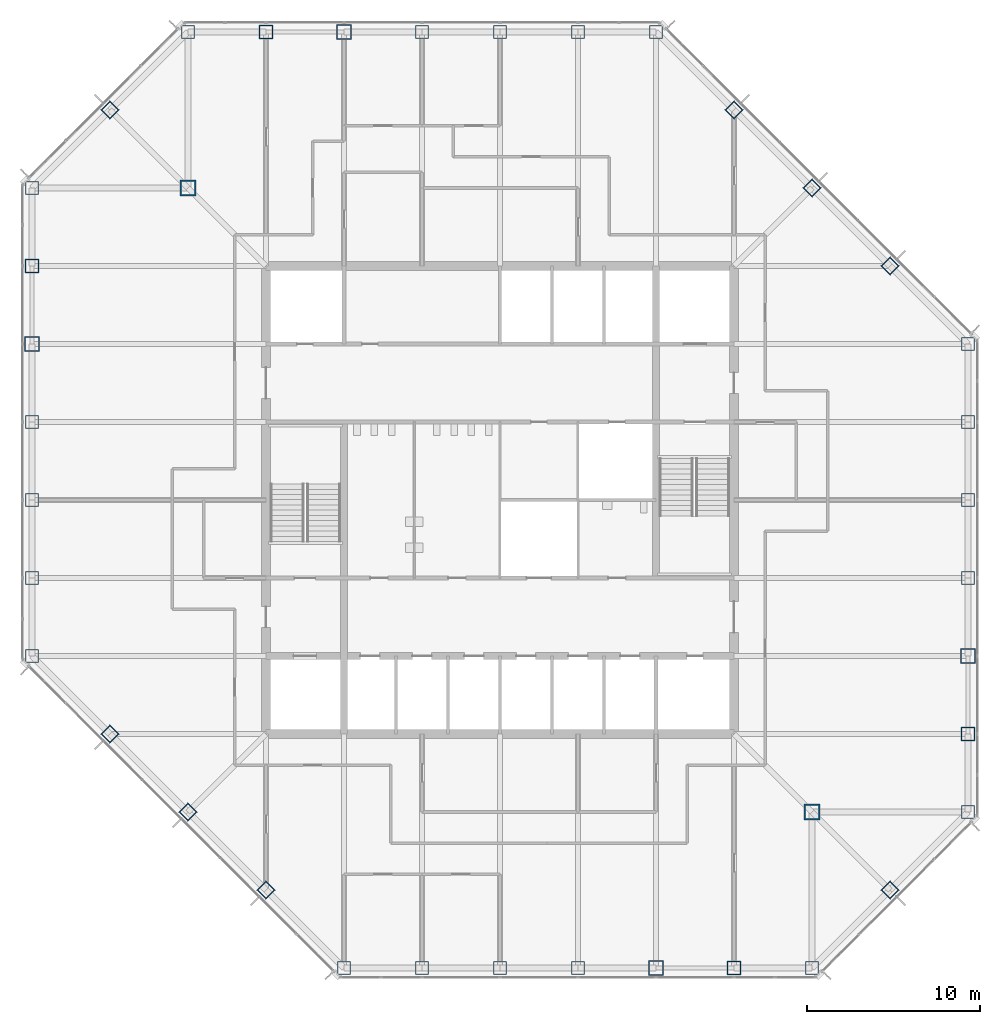
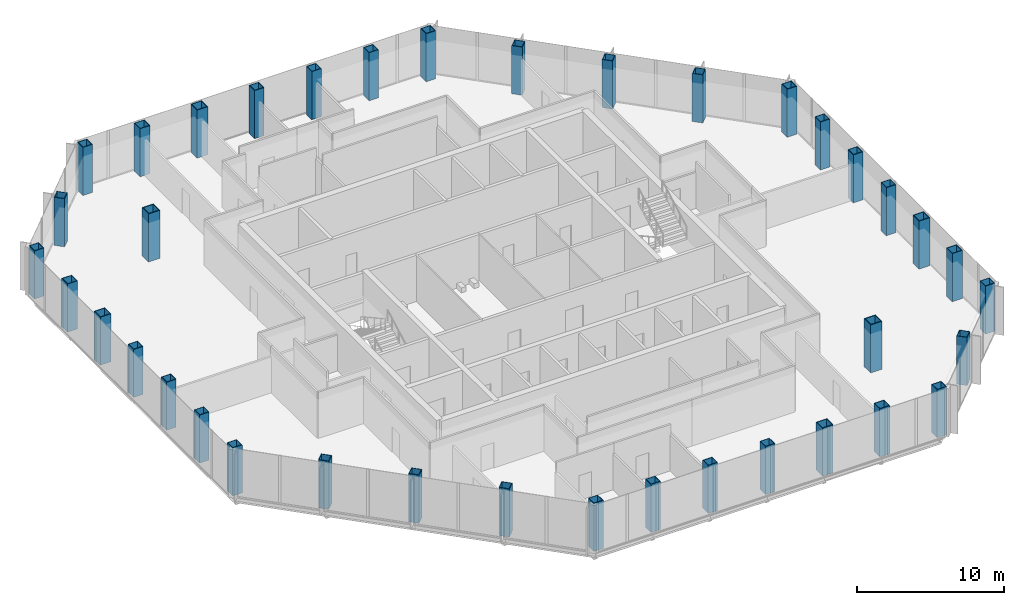
# One storey, part 1 of 13: 38 columns.
"""IFC4 building model written with IfcOpenShell, lengths in metres."""

import ifcopenshell
import ifcopenshell.guid

model = None  # the IFC model being written
_history = None  # IfcOwnerHistory: only IFC2X3 demands one
_inside = {}  # id of a spatial element -> (the spatial element, [elements in it])
_under = {}  # id of a project, library or spatial element -> (it, [spatial elements below it])
_declared = {}  # id of a project -> (the project, [libraries it declares])
_typed = {}  # id of a type object -> (the type object, [elements of that type])
_made_of = {}  # id of a material, layer set ... -> (it, [elements and type objects made of it])


def new_model(schema):
    """Start an empty IFC model of exactly this schema.

    Asked for "IFC4X3", IfcOpenShell would pick the latest addendum, in which some entities
    have other attributes; the version numbers below select the first issue.
    IFC2X3 requires an IfcOwnerHistory on every rooted entity: one is made here for all.
    """
    global model, _history
    if schema == "IFC4X3":
        model = ifcopenshell.file(schema_version=(4, 3, 0, 0))
    else:
        model = ifcopenshell.file(schema=schema)
    _inside.clear()
    _under.clear()
    _declared.clear()
    _typed.clear()
    _made_of.clear()
    _history = None
    if model.schema == "IFC2X3":
        org = make("IfcOrganization", Name="unknown")
        user = make(
            "IfcPersonAndOrganization",
            ThePerson=make("IfcPerson", FamilyName="unknown"),
            TheOrganization=org,
        )
        app = make(
            "IfcApplication",
            ApplicationDeveloper=org,
            Version="unknown",
            ApplicationFullName="unknown",
            ApplicationIdentifier="unknown",
        )
        _history = make(
            "IfcOwnerHistory",
            OwningUser=user,
            OwningApplication=app,
            ChangeAction="ADDED",
            CreationDate=0,
        )
    return model


def make(cls, **values):
    """One entity of the class cls with the attributes given. An attribute that is None is left unset."""
    return model.create_entity(
        cls, **{name: value for name, value in values.items() if value is not None}
    )


def rooted(cls, **values):
    """An entity with a GlobalId (a new one), such as an element, a storey or a relation."""
    return make(cls, GlobalId=ifcopenshell.guid.new(), OwnerHistory=_history, **values)


def si_unit(unit_type, name, prefix=None):
    """IfcSIUnit, for example si_unit("LENGTHUNIT", "METRE", prefix="MILLI")."""
    return make("IfcSIUnit", UnitType=unit_type, Prefix=prefix, Name=name)


def assignment(units):
    """IfcUnitAssignment: the units of a project."""
    return None if units is None else make("IfcUnitAssignment", Units=units)


def point(xyz):
    """IfcCartesianPoint."""
    return None if xyz is None else make("IfcCartesianPoint", Coordinates=xyz)


def direction(xyz):
    """IfcDirection."""
    return None if xyz is None else make("IfcDirection", DirectionRatios=xyz)


def frame(location, z_axis=None, x_axis=None):
    """IfcAxis2Placement3D, a coordinate frame: its origin and axes. An axis left out is left unset."""
    return make(
        "IfcAxis2Placement3D",
        Location=point(location),
        Axis=direction(z_axis),
        RefDirection=direction(x_axis),
    )


def frame_2d(location, x_axis=None):
    """IfcAxis2Placement2D, a coordinate frame in the plane: its origin and x axis."""
    return make(
        "IfcAxis2Placement2D", Location=point(location), RefDirection=direction(x_axis)
    )


def origin():
    """The frame at (0, 0, 0) with its axes left unset."""
    return frame((0.0, 0.0, 0.0))


def origin_2d():
    """The frame at (0, 0) in the plane with its x axis left unset."""
    return frame_2d((0.0, 0.0))


def place(relative_to, where):
    """IfcLocalPlacement: puts the frame where relative to a parent placement (None: the world)."""
    return make(
        "IfcLocalPlacement", PlacementRelTo=relative_to, RelativePlacement=where
    )


def context(
    kind, dimensions, precision=None, world=None, true_north=None, identifier=None
):
    """IfcGeometricRepresentationContext, for example the 3D "Model" context."""
    return make(
        "IfcGeometricRepresentationContext",
        ContextIdentifier=identifier,
        ContextType=kind,
        CoordinateSpaceDimension=dimensions,
        Precision=precision,
        WorldCoordinateSystem=world,
        TrueNorth=true_north,
    )


def subcontext(parent, identifier, kind, view, scale=None):
    """IfcGeometricRepresentationSubContext, for example "Body" below "Model"."""
    return make(
        "IfcGeometricRepresentationSubContext",
        ContextIdentifier=identifier,
        ContextType=kind,
        ParentContext=parent,
        TargetScale=scale,
        TargetView=view,
    )


def project(units=None, contexts=None):
    """IfcProject with its units and contexts."""
    return rooted(
        "IfcProject",
        Name="project",
        RepresentationContexts=contexts,
        UnitsInContext=assignment(units),
    )


def spatial(cls, under=None, at=None, **own):
    """A site, building, storey or space (cls), placed at a placement, below another one or the project."""
    s = rooted(cls, ObjectPlacement=at, **own)
    if under is not None:
        _under.setdefault(under.id(), (under, []))[1].append(s)
    return s


def profile(cls, at=None, kind="AREA", **sizes):
    """A parametric profile (cls). Its sizes go by their IFC names, for example OverallWidth=200.0."""
    return make(cls, ProfileType=kind, Position=at, **sizes)


def hollow_rectangle(**sizes):
    """IfcRectangleHollowProfileDef."""
    return profile("IfcRectangleHollowProfileDef", **sizes)


def extrude(swept, where, along, depth):
    """IfcExtrudedAreaSolid: the profile swept, set in the frame where, extruded along a direction by depth."""
    return make(
        "IfcExtrudedAreaSolid",
        SweptArea=swept,
        Position=where,
        ExtrudedDirection=direction(along),
        Depth=depth,
    )


def shape(context_of_items, identifier, shape_type, items):
    """IfcShapeRepresentation: the items that make up one representation, for example the "Body"."""
    return make(
        "IfcShapeRepresentation",
        ContextOfItems=context_of_items,
        RepresentationIdentifier=identifier,
        RepresentationType=shape_type,
        Items=items,
    )


def material(Name=None, Category=None):
    """IfcMaterial."""
    return make("IfcMaterial", Name=Name, Category=Category)


def material_profile(
    of_material, cross_section, Name=None, Category=None, Priority=None
):
    """IfcMaterialProfile: a cross section and its material."""
    return make(
        "IfcMaterialProfile",
        Name=Name,
        Material=of_material,
        Profile=cross_section,
        Priority=Priority,
        Category=Category,
    )


def profile_set(profiles, Name=None, composite=None):
    """IfcMaterialProfileSet."""
    return make(
        "IfcMaterialProfileSet",
        Name=Name,
        MaterialProfiles=profiles,
        CompositeProfile=composite,
    )


def made_of(thing, what):
    """Note that an element or type object is made of a material, layer set ...; save() writes the relation."""
    if what is not None:
        _made_of.setdefault(what.id(), (what, []))[1].append(thing)
    return thing


def type_object(cls, material=None, **own):
    """A type object (cls), such as IfcWallType, which elements share."""
    return made_of(rooted(cls, **own), material)


def element(
    cls,
    number,
    at=None,
    inside=None,
    cuts=None,
    type_object=None,
    material=None,
    context=None,
    identifier="Body",
    shape_type=None,
    held_by="IfcProductDefinitionShape",
    body=None,
    shapes=None,
    **own,
):
    """One element of the class cls, such as IfcWall. Its Tag is "e" and its number.

    at: its placement. inside: the storey or other place that contains it. cuts: it is an
    opening in that element (IfcRelVoidsElement). A single representation is given by context,
    identifier, shape_type and body (its items); several are given by shapes. held_by: the class
    of the entity that holds the representations. save() writes the other relations.
    """
    e = rooted(cls, Tag="e%d" % number, ObjectPlacement=at, **own)
    if body is not None:
        shapes = [shape(context, identifier, shape_type, body)]
    if shapes is not None:
        e.Representation = make(held_by, Representations=shapes)
    if inside is not None:
        _inside.setdefault(inside.id(), (inside, []))[1].append(e)
    if cuts is not None:
        rooted(
            "IfcRelVoidsElement", RelatingBuildingElement=cuts, RelatedOpeningElement=e
        )
    if type_object is not None:
        _typed.setdefault(type_object.id(), (type_object, []))[1].append(e)
    return made_of(e, material)


def aggregate(whole, parts):
    """IfcRelAggregates: a whole, such as a stair, and the parts it consists of."""
    return rooted("IfcRelAggregates", RelatingObject=whole, RelatedObjects=parts)


def save(model, path):
    """Write the relations noted so far, then the file.

    IfcRelAggregates (storeys below a building ...), IfcRelContainedInSpatialStructure (elements
    in a storey), IfcRelDefinesByType, IfcRelAssociatesMaterial and IfcRelDeclares: one each for
    every whole, place, type object, material and project.
    """
    for whole, parts in _under.values():
        aggregate(whole, parts)
    for where, things in _inside.values():
        rooted(
            "IfcRelContainedInSpatialStructure",
            RelatedElements=things,
            RelatingStructure=where,
        )
    for kind, things in _typed.values():
        rooted("IfcRelDefinesByType", RelatedObjects=things, RelatingType=kind)
    for what, things in _made_of.values():
        rooted("IfcRelAssociatesMaterial", RelatedObjects=things, RelatingMaterial=what)
    for by, libraries in _declared.values():
        rooted("IfcRelDeclares", RelatingContext=by, RelatedDefinitions=libraries)
    model.write(path)


model = new_model("IFC4")

# Units and contexts
model_context = context("Model", 3, precision=1e-05, world=origin(), true_north=direction((0.0, 1.0)))
body_context = subcontext(model_context, "Body", "Model", "MODEL_VIEW")
ifc_project = project(units=[si_unit("LENGTHUNIT", "METRE"), si_unit("AREAUNIT", "SQUARE_METRE"), si_unit("VOLUMEUNIT", "CUBIC_METRE"), si_unit("PLANEANGLEUNIT", "RADIAN"), si_unit("MASSUNIT", "GRAM", prefix="KILO")], contexts=[model_context])

# Site, building, storey
site_placement = place(None, origin())
site = spatial("IfcSite", under=ifc_project, at=site_placement, CompositionType="ELEMENT")
building_placement = place(site_placement, origin())
building = spatial("IfcBuilding", under=site, at=building_placement, Name="Corais Broadcast Tower", CompositionType="ELEMENT")
storey_placement = place(building_placement, frame((0.0, 0.0, 123.60009765625)))
storey = spatial("IfcBuildingStorey", under=building, at=storey_placement, Name="L27", CompositionType="ELEMENT", Elevation=123.60009765625)

# Columns
ifc_material_1 = material(Name="Steel ASTM A572 Grade 50", Category="steel")
ifc_material_profile_1 = material_profile(ifc_material_1, hollow_rectangle(XDim=0.75, YDim=0.75, WallThickness=0.0400390625, at=origin_2d()), Name="BOX 750x750x40")
ifc_profile_set_1 = profile_set([ifc_material_profile_1], Name="Steel ASTM A572 Grade 50")
column_type_1 = type_object("IfcColumnType", Name="Column BOX 750x750x40", PredefinedType="COLUMN", material=ifc_profile_set_1)
for number, where, z_axis, x_axis, name in (
    (1, (18.0, 0.0, 0.0), (0.0, 0.0, 1.0), (1.0, 0.0, 0.0), "C4 A/7"),
    (2, (22.5, 0.0, 0.0), (0.0, 0.0, 1.0), (1.0, 0.0, 0.0), "C4 A/8"),
    (3, (27.0, 0.0, 0.0), (0.0, 0.0, 1.0), (1.0, 0.0, 0.0), "C4 A/9"),
    (4, (31.5, 0.0, 0.0), (0.0, 0.0, 1.0), (1.0, 0.0, 0.0), "C4 A/10"),
    (5, (45.0, 0.0, 0.0), (0.0, 0.0, 1.0), (1.0, 0.0, 0.0), "C4 A/13"),
    (6, (54.0, 9.0, 0.0), (0.0, 0.0, 1.0), (1.0, 0.0, 0.0), "C4 C/15"),
    (7, (54.0, 22.5, 0.0), (0.0, 0.0, 1.0), (1.0, 0.0, 0.0), "C4 F/15"),
    (8, (54.0, 27.0, 0.0), (0.0, 0.0, 1.0), (1.0, 0.0, 0.0), "C4 G/15"),
    (9, (54.0, 31.5, 0.0), (0.0, 0.0, 1.0), (1.0, 0.0, 0.0), "C4 H/15"),
    (10, (54.0, 36.0, 0.0), (0.0, 0.0, 1.0), (1.0, 0.0, 0.0), "C4 J/15"),
    (11, (36.0, 54.0, 0.0), (0.0, 0.0, 1.0), (1.0, 0.0, 0.0), "C4 N/11"),
    (12, (31.5, 54.0, 0.0), (0.0, 0.0, 1.0), (1.0, 0.0, 0.0), "C4 N/10"),
    (13, (27.0, 54.0, 0.0), (0.0, 0.0, 1.0), (1.0, 0.0, 0.0), "C4 N/9"),
    (14, (22.5, 54.0, 0.0), (0.0, 0.0, 1.0), (1.0, 0.0, 0.0), "C4 N/8"),
    (15, (9.0, 54.0, 0.0), (0.0, 0.0, 1.0), (1.0, 0.0, 0.0), "C4 N/5"),
    (16, (0.0, 45.0, 0.0), (0.0, 0.0, 1.0), (1.0, 0.0, 0.0), "C4 L/3"),
    (17, (0.0, 31.5, 0.0), (0.0, 0.0, 1.0), (1.0, 0.0, 0.0), "C4 H/3"),
    (18, (0.0, 27.0, 0.0), (0.0, 0.0, 1.0), (1.0, 0.0, 0.0), "C4 G/3"),
    (19, (0.0, 22.5, 0.0), (0.0, 0.0, 1.0), (1.0, 0.0, 0.0), "C4 F/3"),
    (20, (0.0, 18.0, 0.0), (0.0, 0.0, 1.0), (1.0, 0.0, 0.0), "C4 E/3"),
    (21, (13.5, 4.5, 0.0), (0.0, 0.0, 1.0), (0.707106781187, 0.707106781187, 0.0), "C4 B/6"),
    (22, (9.0, 9.0, 0.0), (0.0, 0.0, 1.0), (0.707106781187, 0.707106781187, 0.0), "C4 C/5"),
    (23, (4.5, 13.5, 0.0), (0.0, 0.0, 1.0), (0.707106781187, 0.707106781187, 0.0), "C4 D/4"),
    (24, (49.5, 4.5, 0.0), (0.0, 0.0, 1.0), (0.707106781187, 0.707106781187, 0.0), "C4 B/14"),
    (25, (49.5, 40.5, 0.0), (0.0, 0.0, 1.0), (0.707106781187, 0.707106781187, 0.0), "C4 K/14"),
    (26, (45.0, 45.0, 0.0), (0.0, 0.0, 1.0), (0.707106781187, 0.707106781187, 0.0), "C4 L/13"),
    (27, (40.5, 49.5, 0.0), (0.0, 0.0, 1.0), (0.707106781187, 0.707106781187, 0.0), "C4 M/12"),
    (28, (4.5, 49.5, 0.0), (0.0, 0.0, 1.0), (0.707106781187, 0.707106781187, 0.0), "C4 M/4"),
):
    element("IfcColumn", number, at=place(storey_placement, frame(where, z_axis=z_axis, x_axis=x_axis)), inside=storey, type_object=column_type_1, Name=name, PredefinedType="COLUMN", context=body_context, shape_type="SweptSolid", body=[
        extrude(hollow_rectangle(XDim=0.75, YDim=0.75, WallThickness=0.0400390625, at=origin_2d()), origin(), (0.0, 0.0, 1.0), 4.0),
    ])
ifc_material_2 = material(Name="Steel ASTM A572 Grade 50", Category="steel")
ifc_material_profile_2 = material_profile(ifc_material_2, hollow_rectangle(XDim=0.800048828125, YDim=0.800048828125, WallThickness=0.044921875, at=origin_2d()), Name="BOX 800x800x45")
ifc_profile_set_2 = profile_set([ifc_material_profile_2], Name="Steel ASTM A572 Grade 50")
column_type_2 = type_object("IfcColumnType", Name="Column BOX 800x800x45", PredefinedType="COLUMN", material=ifc_profile_set_2)
for number, where, z_axis, x_axis, name in (
    (29, (40.5, 0.0, 0.0), (0.0, 0.0, 1.0), (1.0, 0.0, 0.0), "C3 A/12"),
    (30, (54.0, 13.5, 0.0), (0.0, 0.0, 1.0), (1.0, 0.0, 0.0), "C3 D/15"),
    (31, (13.5, 54.0, 0.0), (0.0, 0.0, 1.0), (1.0, 0.0, 0.0), "C3 N/6"),
    (32, (0.0, 40.5, 0.0), (0.0, 0.0, 1.0), (1.0, 0.0, 0.0), "C3 K/3"),
):
    element("IfcColumn", number, at=place(storey_placement, frame(where, z_axis=z_axis, x_axis=x_axis)), inside=storey, type_object=column_type_2, Name=name, PredefinedType="COLUMN", context=body_context, shape_type="SweptSolid", body=[
        extrude(hollow_rectangle(XDim=0.800048828125, YDim=0.800048828125, WallThickness=0.044921875, at=origin_2d()), origin(), (0.0, 0.0, 1.0), 4.0),
    ])
ifc_material_3 = material(Name="Steel ASTM A572 Grade 50", Category="steel")
ifc_material_profile_3 = material_profile(ifc_material_3, hollow_rectangle(XDim=0.85009765625, YDim=0.85009765625, WallThickness=0.050048828125, at=origin_2d()), Name="BOX 850x850x50")
ifc_profile_set_3 = profile_set([ifc_material_profile_3], Name="Steel ASTM A572 Grade 50")
column_type_3 = type_object("IfcColumnType", Name="Column BOX 850x850x50", PredefinedType="COLUMN", material=ifc_profile_set_3)
for number, where, z_axis, x_axis, name in (
    (33, (36.0, 0.0, 0.0), (0.0, 0.0, 1.0), (1.0, 0.0, 0.0), "C1 A/11"),
    (34, (54.0, 18.0, 0.0), (0.0, 0.0, 1.0), (1.0, 0.0, 0.0), "C1 E/15"),
    (35, (18.0, 54.0, 0.0), (0.0, 0.0, 1.0), (1.0, 0.0, 0.0), "C1 N/7"),
    (36, (0.0, 36.0, 0.0), (0.0, 0.0, 1.0), (1.0, 0.0, 0.0), "C1 J/3"),
):
    element("IfcColumn", number, at=place(storey_placement, frame(where, z_axis=z_axis, x_axis=x_axis)), inside=storey, type_object=column_type_3, Name=name, PredefinedType="COLUMN", context=body_context, shape_type="SweptSolid", body=[
        extrude(hollow_rectangle(XDim=0.85009765625, YDim=0.85009765625, WallThickness=0.050048828125, at=origin_2d()), origin(), (0.0, 0.0, 1.0), 4.0),
    ])
ifc_material_4 = material(Name="Steel ASTM A572 Grade 50", Category="steel")
ifc_material_profile_4 = material_profile(ifc_material_4, hollow_rectangle(XDim=0.89990234375, YDim=0.89990234375, WallThickness=0.06298828125, at=origin_2d()), Name="BOX 900x900x63")
ifc_profile_set_4 = profile_set([ifc_material_profile_4], Name="Steel ASTM A572 Grade 50")
column_type_4 = type_object("IfcColumnType", Name="Column BOX 900x900x63", PredefinedType="COLUMN", material=ifc_profile_set_4)
for number, where, z_axis, x_axis, name in (
    (37, (45.0, 9.0, 0.0), (0.0, 0.0, 1.0), (1.0, 0.0, 0.0), "C2 C/13"),
    (38, (9.0, 45.0, 0.0), (0.0, 0.0, 1.0), (1.0, 0.0, 0.0), "C2 L/5"),
):
    element("IfcColumn", number, at=place(storey_placement, frame(where, z_axis=z_axis, x_axis=x_axis)), inside=storey, type_object=column_type_4, Name=name, PredefinedType="COLUMN", context=body_context, shape_type="SweptSolid", body=[
        extrude(hollow_rectangle(XDim=0.89990234375, YDim=0.89990234375, WallThickness=0.06298828125, at=origin_2d()), origin(), (0.0, 0.0, 1.0), 4.0),
    ])

save(model, "model.ifc")
